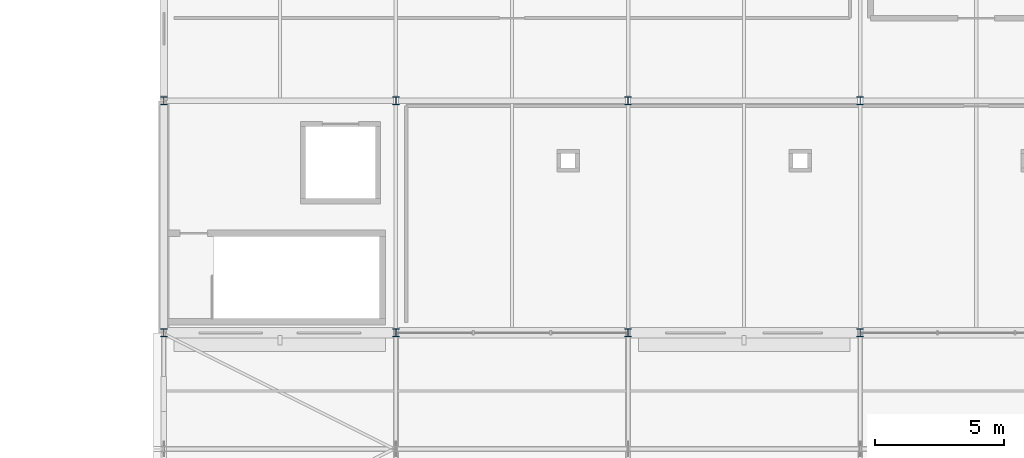
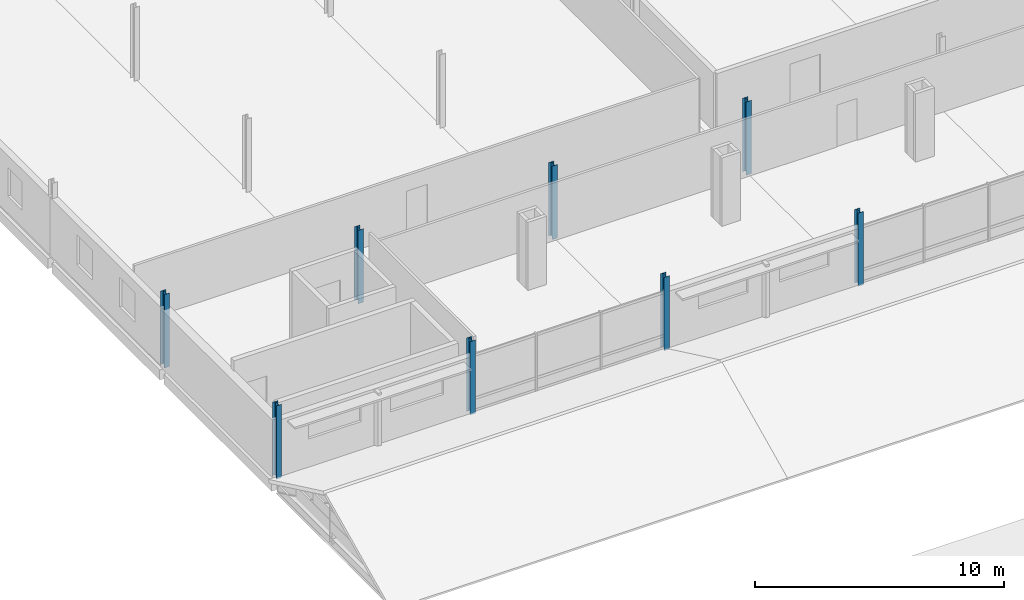
# One storey, part 19 of 132: 8 columns.
"""IFC4 building model written with IfcOpenShell, lengths in metres."""

from ifc_helpers import new_model, si_unit, direction, frame, origin, origin_2d, place, context, subcontext, project, spatial, i_section, extrude, material, material_profile, profile_set, type_object, element, save


model = new_model("IFC4")

# Units and contexts
model_context = context("Model", 3, precision=1e-05, world=origin(), true_north=direction((0.0, 1.0)))
body_context = subcontext(model_context, "Body", "Model", "MODEL_VIEW")
ifc_project = project(units=[si_unit("LENGTHUNIT", "METRE"), si_unit("AREAUNIT", "SQUARE_METRE"), si_unit("VOLUMEUNIT", "CUBIC_METRE"), si_unit("PLANEANGLEUNIT", "RADIAN"), si_unit("MASSUNIT", "GRAM", prefix="KILO")], contexts=[model_context])

# Site, building, storey
site_placement = place(None, origin())
site = spatial("IfcSite", under=ifc_project, at=site_placement, CompositionType="ELEMENT")
building_placement = place(site_placement, origin())
building = spatial("IfcBuilding", under=site, at=building_placement, Name="Tharagai Park Tramway Depot", CompositionType="ELEMENT")
storey_placement = place(building_placement, frame((0.0, 0.0, 4.800048828125)))
storey = spatial("IfcBuildingStorey", under=building, at=storey_placement, Name="L01", CompositionType="ELEMENT", Elevation=4.800048828125)

# Columns
ifc_material = material(Name="Steel E350", Category="steel")
ifc_material_profile = material_profile(ifc_material, i_section(OverallWidth=0.25, OverallDepth=0.300048828125, WebThickness=0.009521484375, FlangeThickness=0.010498046875, FilletRadius=0.011962890625, at=origin_2d()), Name="ISHB 300")
ifc_profile_set = profile_set([ifc_material_profile], Name="Steel E350")
column_type = type_object("IfcColumnType", Name="CL-08", PredefinedType="COLUMN", material=ifc_profile_set)
for number, where, z_axis, x_axis, name in (
    (1, (162.0, 99.0, 0.0), (0.0, 0.0, 1.0), (1.0, 0.0, 0.0), "L01 Structural Column CL-08 (162,99)"),
    (2, (162.0, 108.0, 0.0), (0.0, 0.0, 1.0), (1.0, 0.0, 0.0), "L01 Structural Column CL-08 (162,108)"),
    (3, (171.0, 99.0, 0.0), (0.0, 0.0, 1.0), (1.0, 0.0, 0.0), "L01 Structural Column CL-08 (171,99)"),
    (4, (171.0, 108.0, 0.0), (0.0, 0.0, 1.0), (1.0, 0.0, 0.0), "L01 Structural Column CL-08 (171,108)"),
    (5, (180.0, 99.0, 0.0), (0.0, 0.0, 1.0), (1.0, 0.0, 0.0), "L01 Structural Column CL-08 (180,99)"),
    (6, (180.0, 108.0, 0.0), (0.0, 0.0, 1.0), (1.0, 0.0, 0.0), "L01 Structural Column CL-08 (180,108)"),
    (7, (189.0, 99.0, 0.0), (0.0, 0.0, 1.0), (1.0, 0.0, 0.0), "L01 Structural Column CL-08 (189,99)"),
    (8, (189.0, 108.0, 0.0), (0.0, 0.0, 1.0), (1.0, 0.0, 0.0), "L01 Structural Column CL-08 (189,108)"),
):
    element("IfcColumn", number, at=place(storey_placement, frame(where, z_axis=z_axis, x_axis=x_axis)), inside=storey, type_object=column_type, Name=name, PredefinedType="COLUMN", context=body_context, shape_type="SweptSolid", body=[
        extrude(i_section(OverallWidth=0.25, OverallDepth=0.300048828125, WebThickness=0.009521484375, FlangeThickness=0.010498046875, FilletRadius=0.011962890625, at=origin_2d()), origin(), (0.0, 0.0, 1.0), 3.599853515625),
    ])

save(model, "model.ifc")
